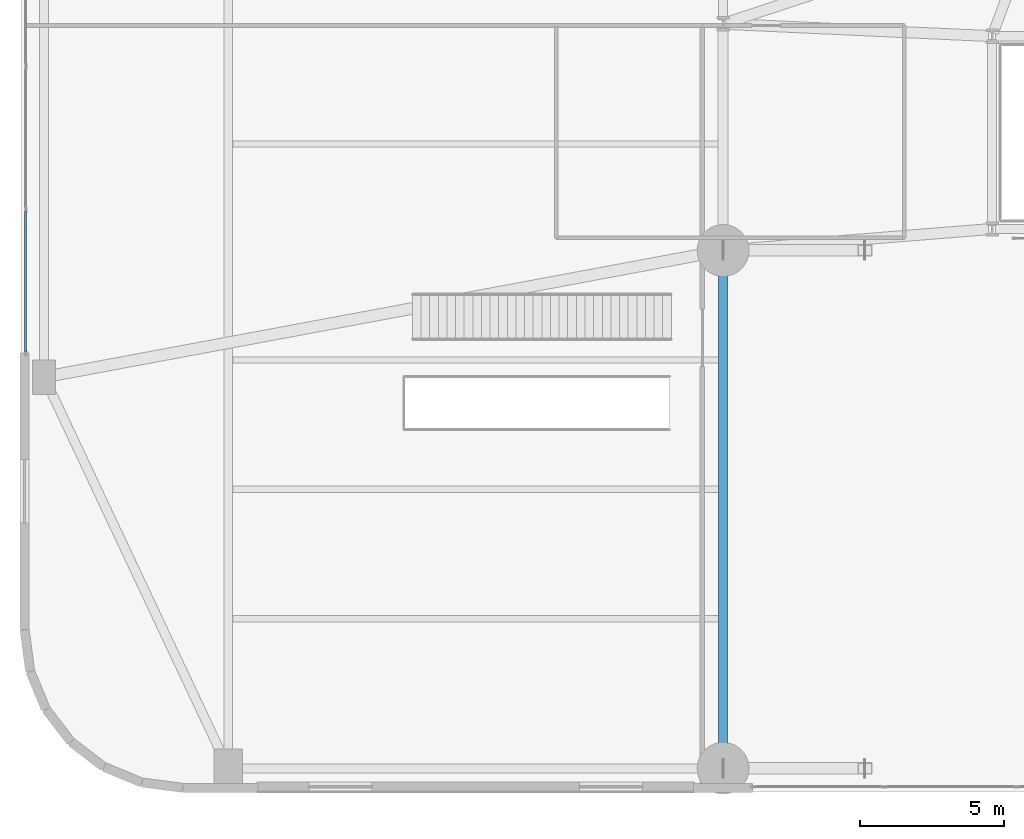
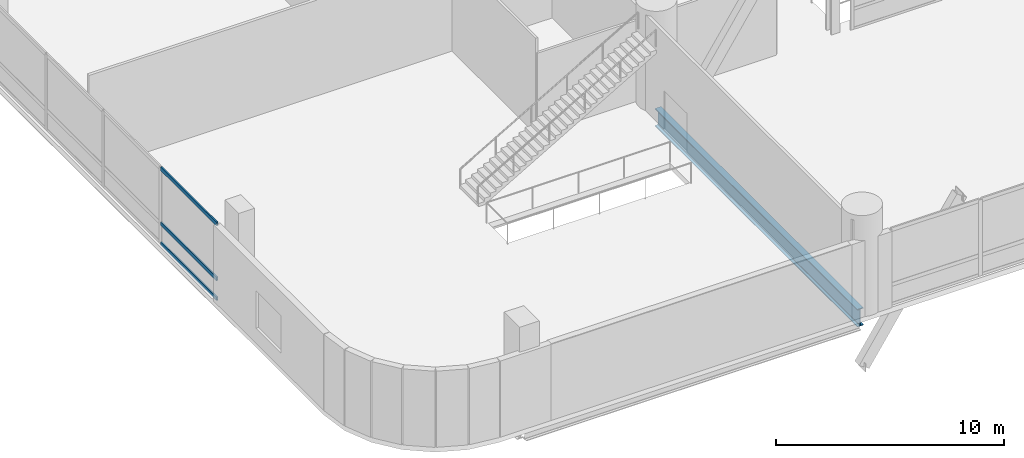
# One storey, part 5 of 40: 3 members, 1 beam, 1 element without a shape of its own.
"""IFC4 building model written with IfcOpenShell, lengths in metres."""

from ifc_helpers import new_model, si_unit, direction, frame, origin, origin_2d, place, context, subcontext, project, spatial, hollow_rectangle, i_section, extrude, material, layer, layer_set, material_profile, profile_set, type_object, element, aggregate, save


model = new_model("IFC4")

# Units and contexts
model_context = context("Model", 3, precision=1e-05, world=origin(), true_north=direction((0.0, 1.0)))
body_context = subcontext(model_context, "Body", "Model", "MODEL_VIEW")
ifc_project = project(units=[si_unit("LENGTHUNIT", "METRE"), si_unit("AREAUNIT", "SQUARE_METRE"), si_unit("VOLUMEUNIT", "CUBIC_METRE"), si_unit("PLANEANGLEUNIT", "RADIAN"), si_unit("MASSUNIT", "GRAM", prefix="KILO")], contexts=[model_context])

# Site, building, storey
site_placement = place(None, origin())
site = spatial("IfcSite", under=ifc_project, at=site_placement, CompositionType="ELEMENT")
building_placement = place(site_placement, origin())
building = spatial("IfcBuilding", under=site, at=building_placement, Name="Varnelok Gate Tower", CompositionType="ELEMENT")
storey_placement = place(building_placement, frame((0.0, 0.0, 5.39990234375)))
storey = spatial("IfcBuildingStorey", under=building, at=storey_placement, Name="L01", CompositionType="ELEMENT", Elevation=5.39990234375)

# Beam
ifc_material_1 = material(Name="Structural Steel ASTM A992 Grade 50", Category="steel")
ifc_material_profile_1 = material_profile(ifc_material_1, i_section(OverallWidth=0.30810546875, OverallDepth=0.943115234375, WebThickness=0.022216796875, FlangeThickness=0.039794921875, FilletRadius=0.02587890625, at=origin_2d()), Name="W36X232")
ifc_profile_set_1 = profile_set([ifc_material_profile_1], Name="Structural Steel ASTM A992 Grade 50")
beam_type = type_object("IfcBeamType", Name="BM-PRI-W36X232", PredefinedType="BEAM", material=ifc_profile_set_1)
beam_placement = place(storey_placement, frame((24.39990234375, 0.93994140625, -0.75146484375), z_axis=(0.0, 1.0, 0.0), x_axis=(-1.0, 0.0, 0.0)))
element("IfcBeam", 1, at=beam_placement, inside=storey, type_object=beam_type, Name="L01 Podium Primary Girder 12", PredefinedType="BEAM", context=body_context, shape_type="SweptSolid", body=[
    extrude(i_section(OverallWidth=0.30810546875, OverallDepth=0.943115234375, WebThickness=0.022216796875, FlangeThickness=0.039794921875, FilletRadius=0.02587890625, at=origin_2d()), origin(), (0.0, 0.0, 1.0), 17.719970703125),
])

# Curtain wall, members
ifc_material_2 = material(Name="Anodized Aluminum Alloy 6063-T6", Category="aluminium")
ifc_layer = layer(ifc_material_2, 0.179931640625)
ifc_layer_set = layer_set([ifc_layer], Name="Anodized Aluminum Alloy 6063-T6")
curtain_wall_type = type_object("IfcCurtainWallType", Name="CW1-ARCH-PORTAL", PredefinedType="USERDEFINED", material=ifc_layer_set)
curtain_wall_placement = place(storey_placement, origin())
curtain_wall = element("IfcCurtainWall", 2, at=curtain_wall_placement, inside=storey, type_object=curtain_wall_type, Name="L01 Podium Portal Curtain Wall W", ObjectType="UNITISED CURTAIN WALL", PredefinedType="USERDEFINED")
ifc_material_profile_2 = material_profile(ifc_material_2, hollow_rectangle(XDim=0.074951171875, YDim=0.199951171875, WallThickness=0.00390625, at=origin_2d()), Name="ALU200X75X4")
ifc_profile_set_2 = profile_set([ifc_material_profile_2], Name="Anodized Aluminum Alloy 6063-T6")
member_type = type_object("IfcMemberType", Name="CW-TRAN-200", PredefinedType="USERDEFINED", material=ifc_profile_set_2)
member_1_placement = place(storey_placement, frame((0.159912109375, 15.27490234375, 0.03759765625), z_axis=(0.0, 1.0, 0.0), x_axis=(-1.0, 0.0, 0.0)))
member_1 = element("IfcMember", 3, at=member_1_placement, type_object=member_type, Name="CW1 transom 1.1", ObjectType="TRANSOM", PredefinedType="USERDEFINED", context=body_context, shape_type="SweptSolid", body=[
    extrude(hollow_rectangle(XDim=0.074951171875, YDim=0.199951171875, WallThickness=0.00390625, at=origin_2d()), origin(), (0.0, 0.0, 1.0), 4.8876953125),
])
member_2_placement = place(storey_placement, frame((0.159912109375, 15.27490234375, 1.10009765625), z_axis=(0.0, 1.0, 0.0), x_axis=(-1.0, 0.0, 0.0)))
member_2 = element("IfcMember", 4, at=member_2_placement, type_object=member_type, Name="CW1 transom 1.2", ObjectType="TRANSOM", PredefinedType="USERDEFINED", context=body_context, shape_type="SweptSolid", body=[
    extrude(hollow_rectangle(XDim=0.074951171875, YDim=0.199951171875, WallThickness=0.00390625, at=origin_2d()), origin(), (0.0, 0.0, 1.0), 4.8876953125),
])
member_3_placement = place(storey_placement, frame((0.159912109375, 15.27490234375, 4.03271484375), z_axis=(0.0, 1.0, 0.0), x_axis=(-1.0, 0.0, 0.0)))
member_3 = element("IfcMember", 5, at=member_3_placement, type_object=member_type, Name="CW1 transom 1.3", ObjectType="TRANSOM", PredefinedType="USERDEFINED", context=body_context, shape_type="SweptSolid", body=[
    extrude(hollow_rectangle(XDim=0.074951171875, YDim=0.199951171875, WallThickness=0.00390625, at=origin_2d()), origin(), (0.0, 0.0, 1.0), 4.8876953125),
])
aggregate(curtain_wall, [member_1, member_2, member_3])

save(model, "model.ifc")
